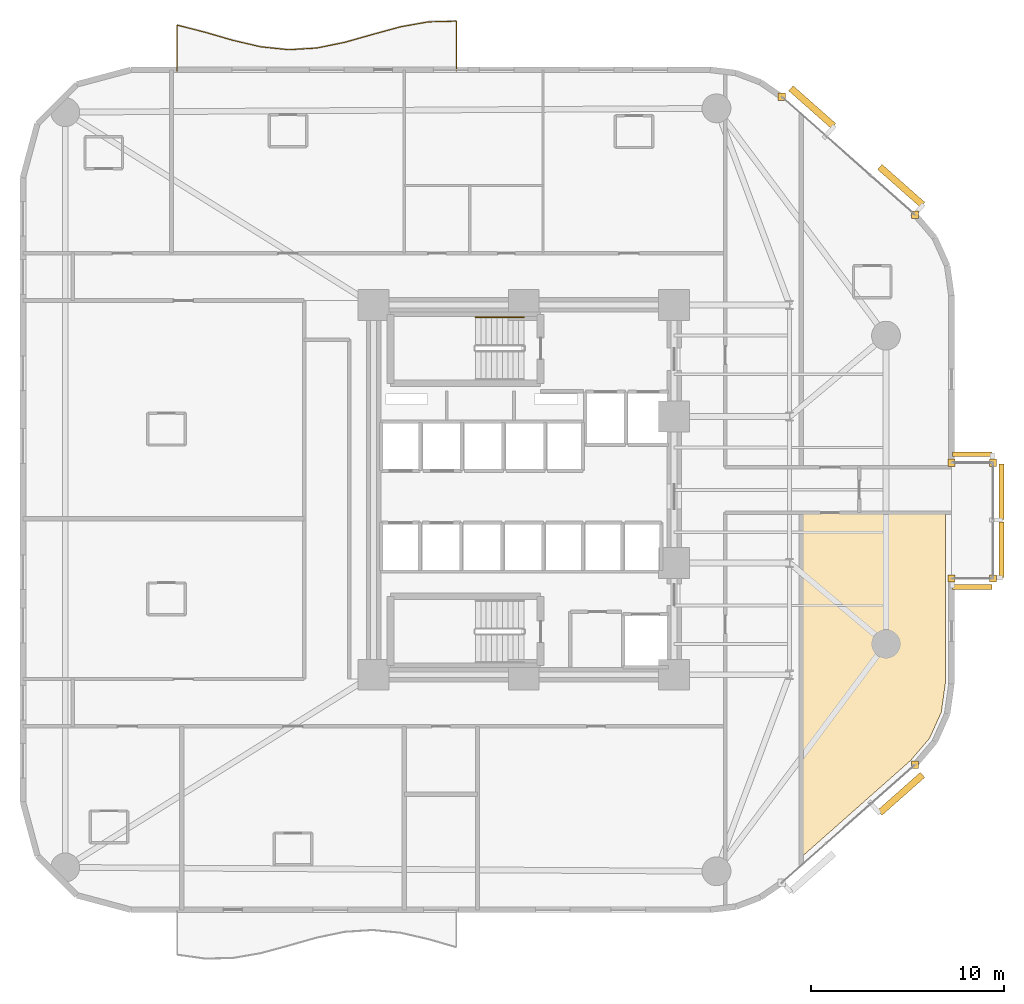
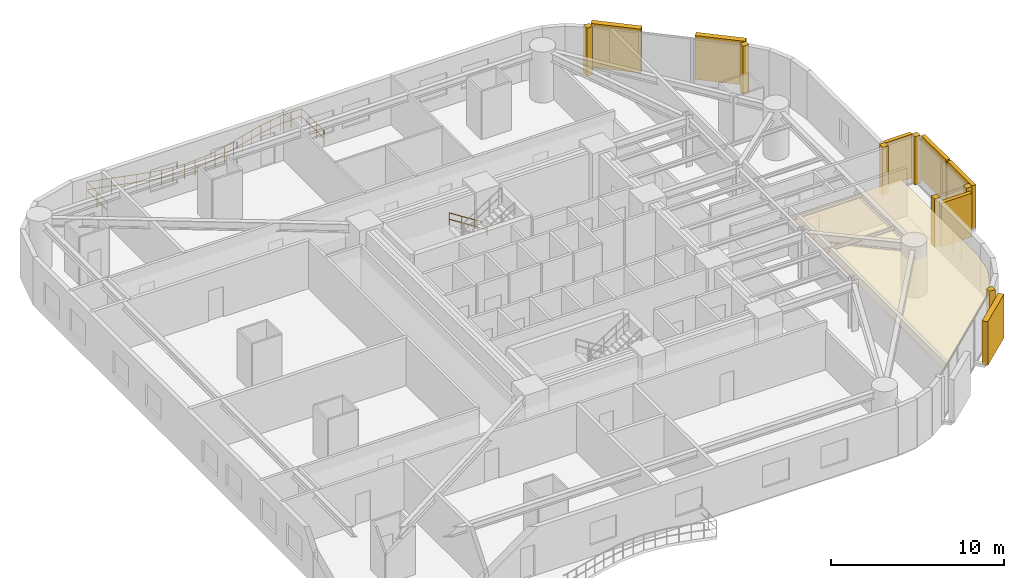
# One storey, part 17 of 17: 8 coverings, 7 shading devices, 2 railings.
"""IFC4 building model written with IfcOpenShell, lengths in metres."""

from ifc_helpers import new_model, si_unit, direction, frame, origin, origin_2d, place, context, subcontext, project, spatial, polyline, rectangle, circle, outline, extrude, material, layer, layer_set, type_object, element, save


model = new_model("IFC4")

# Units and contexts
model_context = context("Model", 3, precision=1e-05, world=origin(), true_north=direction((0.0, 1.0)))
body_context = subcontext(model_context, "Body", "Model", "MODEL_VIEW")
ifc_project = project(units=[si_unit("LENGTHUNIT", "METRE"), si_unit("AREAUNIT", "SQUARE_METRE"), si_unit("VOLUMEUNIT", "CUBIC_METRE"), si_unit("PLANEANGLEUNIT", "RADIAN"), si_unit("MASSUNIT", "GRAM", prefix="KILO")], contexts=[model_context])

# Site, building, storey
site_placement = place(None, origin())
site = spatial("IfcSite", under=ifc_project, at=site_placement, CompositionType="ELEMENT")
building_placement = place(site_placement, origin())
building = spatial("IfcBuilding", under=site, at=building_placement, Name="An Khanh Terracotta Commons", CompositionType="ELEMENT")
storey_placement = place(building_placement, frame((0.0, 0.0, 36.0)))
storey = spatial("IfcBuildingStorey", under=building, at=storey_placement, Name="L09", CompositionType="ELEMENT", Elevation=36.0)

# Coverings
ifc_material_1 = material(Name="Perforated Mineral-Fibre Acoustic Tile")
ifc_layer_1 = layer(ifc_material_1, 0.02001953125, Name="Perforated Mineral-Fibre Acoustic Tile")
ifc_layer_set_1 = layer_set([ifc_layer_1], Name="Perforated Mineral-Fibre Acoustic Tile")
covering_type_1 = type_object("IfcCoveringType", Name="CEIL-ACOUSTIC-18", PredefinedType="CEILING", material=ifc_layer_set_1)
covering_placement = place(storey_placement, frame((0.0, 0.0, 2.64990234375)))
element("IfcCovering", 1, at=covering_placement, inside=storey, type_object=covering_type_1, Name="L09 Riverfront Reading Hall Ceiling", PredefinedType="CEILING", context=body_context, shape_type="SweptSolid", body=[
    extrude(outline(polyline([(51.280029296875, 13.946044921875), (51.069091796875, 12.452880859375), (50.458984375, 11.10107421875), (49.48095703125, 9.952880859375), (43.800048828125, 4.927978515625), (43.800048828125, 22.820068359375), (46.800048828125, 22.820068359375), (51.280029296875, 22.820068359375), (51.280029296875, 13.946044921875)])), origin(), (0.0, 0.0, 1.0), 0.02001953125),
])
ifc_material_2 = material(Name="Fired Terracotta Rainscreen Cladding", Category="masonry")
ifc_layer_2 = layer(ifc_material_2, 0.080078125, Name="Fired Terracotta Rainscreen Cladding")
ifc_layer_set_2 = layer_set([ifc_layer_2], Name="Fired Terracotta Rainscreen Cladding")
covering_type_2 = type_object("IfcCoveringType", Name="COV-JAMB-TERRA", PredefinedType="CLADDING", material=ifc_layer_set_2)
for number, where, z_axis, x_axis, name in (
    (2, (49.7099609375, 9.72802734375, 0.0), (0.0, 0.0, 1.0), (1.0, 0.0, 0.0), "L09 CW-02 Curtain-Wall Jamb Closure JB"),
    (3, (53.75, 19.39990234375, 0.0), (0.0, 0.0, 1.0), (1.0, 0.0, 0.0), "L09 CW-04 Curtain-Wall Jamb Closure JA"),
    (4, (53.75, 25.39990234375, 0.0), (0.0, 0.0, 1.0), (1.0, 0.0, 0.0), "L09 CW-04 Curtain-Wall Jamb Closure JB"),
    (5, (51.60009765625, 19.39990234375, 0.0), (0.0, 0.0, 1.0), (1.0, 0.0, 0.0), "L09 CW-04 Curtain-Wall Jamb Closure JA"),
    (6, (51.60009765625, 25.39990234375, 0.0), (0.0, 0.0, 1.0), (1.0, 0.0, 0.0), "L09 CW-04 Curtain-Wall Jamb Closure JB"),
    (7, (49.7099609375, 38.27197265625, 0.0), (0.0, 0.0, 1.0), (1.0, 0.0, 0.0), "L09 CW-02 Curtain-Wall Jamb Closure JA"),
    (8, (42.7890625, 44.39404296875, 0.0), (0.0, 0.0, 1.0), (1.0, 0.0, 0.0), "L09 CW-02 Curtain-Wall Jamb Closure JB"),
):
    element("IfcCovering", number, at=place(storey_placement, frame(where, z_axis=z_axis, x_axis=x_axis)), inside=storey, type_object=covering_type_2, Name=name, PredefinedType="CLADDING", context=body_context, shape_type="SweptSolid", body=[
        extrude(rectangle(XDim=0.3798828125, YDim=0.3798828125, at=origin_2d()), origin(), (0.0, 0.0, 1.0), 3.39990234375),
    ])

# Railings
ifc_material_3 = material(Name="Brushed Stainless Steel 316", Category="steel")
railing_type_1 = type_object("IfcRailingType", Name="RAIL-BALUSTRADE-1100", PredefinedType="BALUSTRADE", material=ifc_material_3)
railing_1_placement = place(storey_placement, frame((25.89990234375, 45.739990234375, 0.0)))
element("IfcRailing", 9, at=railing_1_placement, inside=storey, type_object=railing_type_1, Name="L09 N Wave Balcony Guard Balustrade", PredefinedType="BALUSTRADE", context=body_context, shape_type="SweptSolid", body=[
    extrude(circle(Radius=0.02392578125, at=origin_2d()), frame((0.0, 0.0, 1.076171875), z_axis=(0.0, 1.0, 0.0), x_axis=(-1.0, 0.0, 0.0)), (0.0, 0.0, 1.0), 2.5859375),
    extrude(circle(Radius=0.02392578125, at=origin_2d()), frame((0.0, 0.0, 0.52587890625), z_axis=(0.0, 1.0, 0.0), x_axis=(-1.0, 0.0, 0.0)), (0.0, 0.0, 1.0), 2.5859375),
    extrude(circle(Radius=0.02392578125, at=origin_2d()), frame((0.0, 2.5859375, 1.076171875), z_axis=(-0.999659603601, -0.026089785916, 0.0), x_axis=(0.026089785916, -0.999659603601, 0.0)), (0.0, 0.0, 1.0), 1.450439453125),
    extrude(circle(Radius=0.02392578125, at=origin_2d()), frame((0.0, 2.5859375, 0.52587890625), z_axis=(-0.999659603601, -0.026089785916, 0.0), x_axis=(0.026089785916, -0.999659603601, 0.0)), (0.0, 0.0, 1.0), 1.450439453125),
    extrude(circle(Radius=0.02392578125, at=origin_2d()), frame((-1.449951171875, 2.548095703125, 1.076171875), z_axis=(-0.984643037785, -0.174579747228, 0.0), x_axis=(0.174579747228, -0.984643037785, 0.0)), (0.0, 0.0, 1.0), 1.47265625),
    extrude(circle(Radius=0.02392578125, at=origin_2d()), frame((-1.449951171875, 2.548095703125, 0.52587890625), z_axis=(-0.984643037785, -0.174579747228, 0.0), x_axis=(0.174579747228, -0.984643037785, 0.0)), (0.0, 0.0, 1.0), 1.47265625),
    extrude(circle(Radius=0.02392578125, at=origin_2d()), frame((-2.89990234375, 2.291015625, 1.076171875), z_axis=(-0.964504761538, -0.264065455845, 0.0), x_axis=(0.264065455845, -0.964504761538, 0.0)), (0.0, 0.0, 1.0), 1.50341796875),
    extrude(circle(Radius=0.02392578125, at=origin_2d()), frame((-2.89990234375, 2.291015625, 0.52587890625), z_axis=(-0.964504761538, -0.264065455845, 0.0), x_axis=(0.264065455845, -0.964504761538, 0.0)), (0.0, 0.0, 1.0), 1.50341796875),
    extrude(circle(Radius=0.02392578125, at=origin_2d()), frame((-4.349853515625, 1.89404296875, 1.076171875), z_axis=(-0.962284509869, -0.272045073593, 0.0), x_axis=(0.272045073593, -0.962284509869, 0.0)), (0.0, 0.0, 1.0), 1.5068359375),
    extrude(circle(Radius=0.02392578125, at=origin_2d()), frame((-4.349853515625, 1.89404296875, 0.52587890625), z_axis=(-0.962284509869, -0.272045073593, 0.0), x_axis=(0.272045073593, -0.962284509869, 0.0)), (0.0, 0.0, 1.0), 1.5068359375),
    extrude(circle(Radius=0.02392578125, at=origin_2d()), frame((-5.7998046875, 1.484130859375, 1.076171875), z_axis=(-0.979908801589, -0.199446084364, 0.0), x_axis=(0.199446084364, -0.979908801589, 0.0)), (0.0, 0.0, 1.0), 1.47998046875),
    extrude(circle(Radius=0.02392578125, at=origin_2d()), frame((-5.7998046875, 1.484130859375, 0.52587890625), z_axis=(-0.979908801589, -0.199446084364, 0.0), x_axis=(0.199446084364, -0.979908801589, 0.0)), (0.0, 0.0, 1.0), 1.47998046875),
    extrude(circle(Radius=0.02392578125, at=origin_2d()), frame((-7.25, 1.18896484375, 1.076171875), z_axis=(-0.99820826031, -0.059835349498, 0.0), x_axis=(0.059835349498, -0.99820826031, 0.0)), (0.0, 0.0, 1.0), 1.45263671875),
    extrude(circle(Radius=0.02392578125, at=origin_2d()), frame((-7.25, 1.18896484375, 0.52587890625), z_axis=(-0.99820826031, -0.059835349498, 0.0), x_axis=(0.059835349498, -0.99820826031, 0.0)), (0.0, 0.0, 1.0), 1.45263671875),
    extrude(circle(Radius=0.02392578125, at=origin_2d()), frame((-8.699951171875, 1.10205078125, 1.076171875), z_axis=(-0.994698294231, 0.102836294436, 0.0), x_axis=(-0.102836294436, -0.994698294231, 0.0)), (0.0, 0.0, 1.0), 1.457763671875),
    extrude(circle(Radius=0.02392578125, at=origin_2d()), frame((-8.699951171875, 1.10205078125, 0.52587890625), z_axis=(-0.994698294231, 0.102836294436, 0.0), x_axis=(-0.102836294436, -0.994698294231, 0.0)), (0.0, 0.0, 1.0), 1.457763671875),
    extrude(circle(Radius=0.02392578125, at=origin_2d()), frame((-10.14990234375, 1.251953125, 1.076171875), z_axis=(-0.973869021788, 0.227110388142, 0.0), x_axis=(-0.227110388142, -0.973869021788, 0.0)), (0.0, 0.0, 1.0), 1.48876953125),
    extrude(circle(Radius=0.02392578125, at=origin_2d()), frame((-10.14990234375, 1.251953125, 0.52587890625), z_axis=(-0.973869021788, 0.227110388142, 0.0), x_axis=(-0.227110388142, -0.973869021788, 0.0)), (0.0, 0.0, 1.0), 1.48876953125),
    extrude(circle(Radius=0.02392578125, at=origin_2d()), frame((-11.599853515625, 1.590087890625, 1.076171875), z_axis=(-0.960356002851, 0.278776519434, 0.0), x_axis=(-0.278776519434, -0.960356002851, 0.0)), (0.0, 0.0, 1.0), 1.509765625),
    extrude(circle(Radius=0.02392578125, at=origin_2d()), frame((-11.599853515625, 1.590087890625, 0.52587890625), z_axis=(-0.960356002851, 0.278776519434, 0.0), x_axis=(-0.278776519434, -0.960356002851, 0.0)), (0.0, 0.0, 1.0), 1.509765625),
    extrude(circle(Radius=0.02392578125, at=origin_2d()), frame((-13.0498046875, 2.010986328125, 1.076171875), z_axis=(-0.969097173923, 0.246679280635, 0.0), x_axis=(-0.246679280635, -0.969097173923, 0.0)), (0.0, 0.0, 1.0), 1.496337890625),
    extrude(circle(Radius=0.02392578125, at=origin_2d()), frame((-13.0498046875, 2.010986328125, 0.52587890625), z_axis=(-0.969097173923, 0.246679280635, 0.0), x_axis=(-0.246679280635, -0.969097173923, 0.0)), (0.0, 0.0, 1.0), 1.496337890625),
    extrude(circle(Radius=0.02392578125, at=origin_2d()), frame((-14.5, 2.380126953125, 1.076171875), z_axis=(0.0, -1.0, 0.0), x_axis=(1.0, 0.0, 0.0)), (0.0, 0.0, 1.0), 2.380126953125),
    extrude(circle(Radius=0.02392578125, at=origin_2d()), frame((-14.5, 2.380126953125, 0.52587890625), z_axis=(0.0, -1.0, 0.0), x_axis=(1.0, 0.0, 0.0)), (0.0, 0.0, 1.0), 2.380126953125),
    extrude(circle(Radius=0.02099609375, at=origin_2d()), origin(), (0.0, 0.0, 1.0), 1.052001953125),
    extrude(circle(Radius=0.02099609375, at=origin_2d()), frame((0.0, 0.862060546875, 0.0)), (0.0, 0.0, 1.0), 1.052001953125),
    extrude(circle(Radius=0.02099609375, at=origin_2d()), frame((0.0, 1.723876953125, 0.0)), (0.0, 0.0, 1.0), 1.052001953125),
    extrude(circle(Radius=0.02099609375, at=origin_2d()), frame((0.0, 2.5859375, 0.0)), (0.0, 0.0, 1.0), 1.052001953125),
    extrude(circle(Radius=0.02099609375, at=origin_2d()), frame((-0.72509765625, 2.56689453125, 0.0)), (0.0, 0.0, 1.0), 1.052001953125),
    extrude(circle(Radius=0.02099609375, at=origin_2d()), frame((-1.449951171875, 2.548095703125, 0.0)), (0.0, 0.0, 1.0), 1.052001953125),
    extrude(circle(Radius=0.02099609375, at=origin_2d()), frame((-2.1748046875, 2.41943359375, 0.0)), (0.0, 0.0, 1.0), 1.052001953125),
    extrude(circle(Radius=0.02099609375, at=origin_2d()), frame((-2.89990234375, 2.291015625, 0.0)), (0.0, 0.0, 1.0), 1.052001953125),
    extrude(circle(Radius=0.02099609375, at=origin_2d()), frame((-3.625, 2.092529296875, 0.0)), (0.0, 0.0, 1.0), 1.052001953125),
    extrude(circle(Radius=0.02099609375, at=origin_2d()), frame((-4.349853515625, 1.89404296875, 0.0)), (0.0, 0.0, 1.0), 1.052001953125),
    extrude(circle(Radius=0.02099609375, at=origin_2d()), frame((-5.07470703125, 1.68896484375, 0.0)), (0.0, 0.0, 1.0), 1.052001953125),
    extrude(circle(Radius=0.02099609375, at=origin_2d()), frame((-5.7998046875, 1.484130859375, 0.0)), (0.0, 0.0, 1.0), 1.052001953125),
    extrude(circle(Radius=0.02099609375, at=origin_2d()), frame((-6.52490234375, 1.33642578125, 0.0)), (0.0, 0.0, 1.0), 1.052001953125),
    extrude(circle(Radius=0.02099609375, at=origin_2d()), frame((-7.25, 1.18896484375, 0.0)), (0.0, 0.0, 1.0), 1.052001953125),
    extrude(circle(Radius=0.02099609375, at=origin_2d()), frame((-7.97509765625, 1.1455078125, 0.0)), (0.0, 0.0, 1.0), 1.052001953125),
    extrude(circle(Radius=0.02099609375, at=origin_2d()), frame((-8.699951171875, 1.10205078125, 0.0)), (0.0, 0.0, 1.0), 1.052001953125),
    extrude(circle(Radius=0.02099609375, at=origin_2d()), frame((-9.4248046875, 1.177001953125, 0.0)), (0.0, 0.0, 1.0), 1.052001953125),
    extrude(circle(Radius=0.02099609375, at=origin_2d()), frame((-10.14990234375, 1.251953125, 0.0)), (0.0, 0.0, 1.0), 1.052001953125),
    extrude(circle(Radius=0.02099609375, at=origin_2d()), frame((-10.875, 1.4208984375, 0.0)), (0.0, 0.0, 1.0), 1.052001953125),
    extrude(circle(Radius=0.02099609375, at=origin_2d()), frame((-11.599853515625, 1.590087890625, 0.0)), (0.0, 0.0, 1.0), 1.052001953125),
    extrude(circle(Radius=0.02099609375, at=origin_2d()), frame((-12.32470703125, 1.800537109375, 0.0)), (0.0, 0.0, 1.0), 1.052001953125),
    extrude(circle(Radius=0.02099609375, at=origin_2d()), frame((-13.0498046875, 2.010986328125, 0.0)), (0.0, 0.0, 1.0), 1.052001953125),
    extrude(circle(Radius=0.02099609375, at=origin_2d()), frame((-13.77490234375, 2.195556640625, 0.0)), (0.0, 0.0, 1.0), 1.052001953125),
    extrude(circle(Radius=0.02099609375, at=origin_2d()), frame((-14.5, 2.380126953125, 0.0)), (0.0, 0.0, 1.0), 1.052001953125),
    extrude(circle(Radius=0.02099609375, at=origin_2d()), frame((-14.5, 1.18994140625, 0.0)), (0.0, 0.0, 1.0), 1.052001953125),
    extrude(circle(Radius=0.02099609375, at=origin_2d()), frame((-14.5, 0.0, 0.0)), (0.0, 0.0, 1.0), 1.052001953125),
])
railing_type_2 = type_object("IfcRailingType", Name="RAIL-HANDRAIL-900", PredefinedType="HANDRAIL", material=ifc_material_3)
railing_2_placement = place(storey_placement, frame((29.409912109375, 32.949951171875, 0.179931640625)))
element("IfcRailing", 10, at=railing_2_placement, inside=storey, type_object=railing_type_2, Name="L09 ST-01 stair handrail 1", PredefinedType="HANDRAIL", context=body_context, shape_type="SweptSolid", body=[
    extrude(circle(Radius=0.02392578125, at=origin_2d()), frame((0.0, 0.0, 0.8759765625), z_axis=(-0.841162588446, 0.0, 0.540782303519), x_axis=(0.0, -1.0, 0.0)), (0.0, 0.0, 1.0), 2.995849609375),
    extrude(circle(Radius=0.02392578125, at=origin_2d()), frame((0.0, 0.0, 0.42578125), z_axis=(-0.841162588446, 0.0, 0.540782303519), x_axis=(0.0, -1.0, 0.0)), (0.0, 0.0, 1.0), 2.995849609375),
    extrude(circle(Radius=0.02099609375, at=origin_2d()), origin(), (0.0, 0.0, 1.0), 0.851806640625),
    extrude(circle(Radius=0.02099609375, at=origin_2d()), frame((-0.840087890625, 0.0, 0.5400390625)), (0.0, 0.0, 1.0), 0.851806640625),
    extrude(circle(Radius=0.02099609375, at=origin_2d()), frame((-1.679931640625, 0.0, 1.080078125)), (0.0, 0.0, 1.0), 0.851806640625),
    extrude(circle(Radius=0.02099609375, at=origin_2d()), frame((-2.52001953125, 0.0, 1.6201171875)), (0.0, 0.0, 1.0), 0.851806640625),
])

# Shading devices
ifc_material_4 = material(Name="Warm Hardwood Timber-Finish Aluminium", Category="wood")
shading_device_type_1 = type_object("IfcShadingDeviceType", Name="Shifted Box Timber-Toned Louvre Screen", PredefinedType="USERDEFINED", material=ifc_material_4)
for number, where, z_axis, x_axis, name in (
    (11, (54.199951171875, 20.89990234375, 0.14990234375), (0.0, 0.0, 1.0), (0.0, 1.0, 0.0), "L09 Louvre Screen 1"),
    (12, (54.199951171875, 23.89990234375, 0.14990234375), (0.0, 0.0, 1.0), (0.0, 1.0, 0.0), "L09 Louvre Screen 2"),
):
    element("IfcShadingDevice", number, at=place(storey_placement, frame(where, z_axis=z_axis, x_axis=x_axis)), inside=storey, type_object=shading_device_type_1, Name=name, ObjectType="LOUVRE", PredefinedType="USERDEFINED", context=body_context, shape_type="SweptSolid", body=[
        extrude(rectangle(XDim=2.8798828125, YDim=0.25, at=origin_2d()), origin(), (0.0, 0.0, 1.0), 3.10009765625),
    ])
for number, where, z_axis, x_axis, name in (
    (13, (52.675048828125, 18.949951171875, 0.14990234375), (0.0, 0.0, 1.0), (1.0, 0.0, 0.0), "L09 Louvre Screen 1"),
    (14, (52.675048828125, 25.85009765625, 0.14990234375), (0.0, 0.0, 1.0), (-1.0, 0.0, 0.0), "L09 Louvre Screen 1"),
):
    element("IfcShadingDevice", number, at=place(storey_placement, frame(where, z_axis=z_axis, x_axis=x_axis)), inside=storey, type_object=shading_device_type_1, Name=name, ObjectType="LOUVRE", PredefinedType="USERDEFINED", context=body_context, shape_type="SweptSolid", body=[
        extrude(rectangle(XDim=2.030029296875, YDim=0.25, at=origin_2d()), origin(), (0.0, 0.0, 1.0), 3.10009765625),
    ])
ifc_material_5 = material(Name="Extruded Fired Terracotta", Category="masonry")
shading_device_type_2 = type_object("IfcShadingDeviceType", Name="Terracotta Baguette Screen Assembly", PredefinedType="USERDEFINED", material=ifc_material_5)
for number, where, z_axis, x_axis, name in (
    (15, (48.987060546875, 8.220947265625, 0.14990234375), (0.0, 0.0, 1.0), (0.749019284633, 0.662548195415, 0.0), "L09 Terracotta Baguette Screen 3"),
    (16, (48.987060546875, 39.779052734375, 0.14990234375), (0.0, 0.0, 1.0), (-0.749019284633, 0.662548195415, 0.0), "L09 Terracotta Baguette Screen 1"),
    (17, (44.373046875, 43.861083984375, 0.14990234375), (0.0, 0.0, 1.0), (-0.749019284633, 0.662548195415, 0.0), "L09 Terracotta Baguette Screen 3"),
):
    element("IfcShadingDevice", number, at=place(storey_placement, frame(where, z_axis=z_axis, x_axis=x_axis)), inside=storey, type_object=shading_device_type_2, Name=name, ObjectType="BAGUETTE", PredefinedType="USERDEFINED", context=body_context, shape_type="SweptSolid", body=[
        extrude(rectangle(XDim=2.9599609375, YDim=0.35009765625, at=origin_2d()), origin(), (0.0, 0.0, 1.0), 3.10009765625),
    ])

save(model, "model.ifc")
